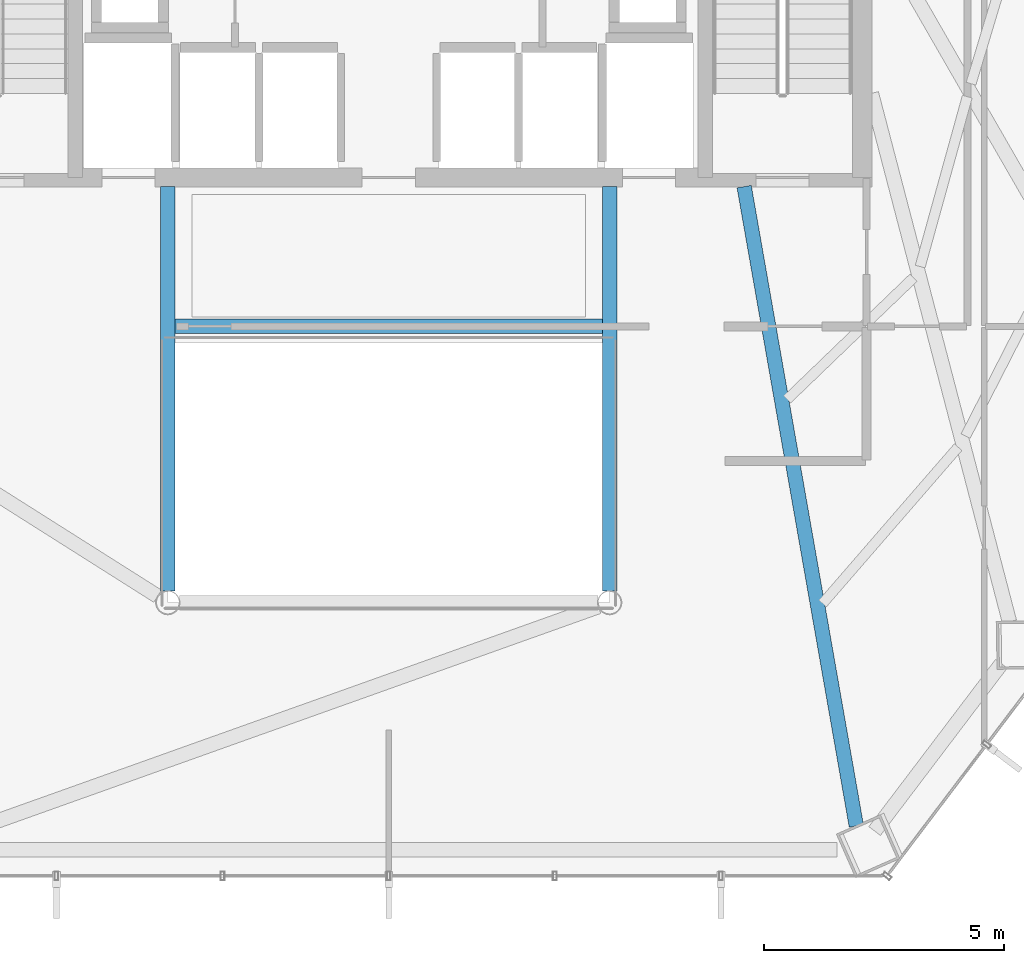
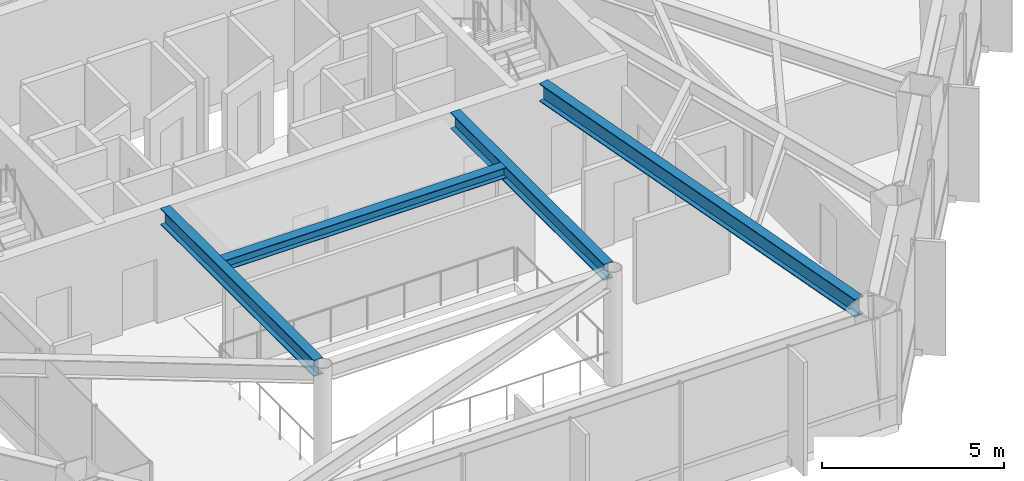
# One storey, part 9 of 24: 4 beams.
"""IFC4 building model written with IfcOpenShell, lengths in metres."""

from ifc_helpers import new_model, si_unit, direction, frame, origin, origin_2d, place, context, subcontext, project, spatial, i_section, extrude, material, material_profile, profile_set, type_object, element, save


model = new_model("IFC4")

# Units and contexts
model_context = context("Model", 3, precision=1e-05, world=origin(), true_north=direction((0.0, 1.0)))
body_context = subcontext(model_context, "Body", "Model", "MODEL_VIEW")
ifc_project = project(units=[si_unit("LENGTHUNIT", "METRE"), si_unit("AREAUNIT", "SQUARE_METRE"), si_unit("VOLUMEUNIT", "CUBIC_METRE"), si_unit("PLANEANGLEUNIT", "RADIAN"), si_unit("MASSUNIT", "GRAM", prefix="KILO")], contexts=[model_context])

# Site, building, storey
site_placement = place(None, origin())
site = spatial("IfcSite", under=ifc_project, at=site_placement, CompositionType="ELEMENT")
building_placement = place(site_placement, origin())
building = spatial("IfcBuilding", under=site, at=building_placement, Name="Zarrinselat Tower", CompositionType="ELEMENT")
storey_placement = place(building_placement, frame((0.0, 0.0, 68.340087890625)))
storey = spatial("IfcBuildingStorey", under=building, at=storey_placement, Name="L16", CompositionType="ELEMENT", Elevation=68.340087890625)

# Beams
ifc_material_1 = material(Name="Steel S355J2", Category="steel")
ifc_material_profile_1 = material_profile(ifc_material_1, i_section(OverallWidth=0.300048828125, OverallDepth=0.35009765625, WebThickness=0.010009765625, FlangeThickness=0.017578125, at=origin_2d()), Name="HEA 360")
ifc_profile_set_1 = profile_set([ifc_material_profile_1], Name="Steel S355J2")
beam_type_1 = type_object("IfcBeamType", Name="BM-HEA360", PredefinedType="LINTEL", material=ifc_profile_set_1)
beam_1_placement = place(storey_placement, frame((33.93994140625, 30.14990234375, 3.64501953125), z_axis=(1.0, 0.0, 0.0), x_axis=(0.0, 1.0, 0.0)))
element("IfcBeam", 1, at=beam_1_placement, inside=storey, type_object=beam_type_1, Name="L16 Lift Lobby Ceiling Beam", PredefinedType="LINTEL", context=body_context, shape_type="SweptSolid", body=[
    extrude(i_section(OverallWidth=0.300048828125, OverallDepth=0.35009765625, WebThickness=0.010009765625, FlangeThickness=0.017578125, at=origin_2d()), origin(), (0.0, 0.0, 1.0), 8.920166015625),
])
ifc_material_2 = material(Name="Steel S355J2", Category="steel")
ifc_material_profile_2 = material_profile(ifc_material_2, i_section(OverallWidth=0.300048828125, OverallDepth=0.550048828125, WebThickness=0.014892578125, FlangeThickness=0.029052734375, at=origin_2d()), Name="HEB 550")
ifc_profile_set_2 = profile_set([ifc_material_profile_2], Name="Steel S355J2")
beam_type_2 = type_object("IfcBeamType", Name="BM-HEB550", PredefinedType="BEAM", material=ifc_profile_set_2)
for number, where, z_axis, x_axis, name in (
    (2, (33.800048828125, 24.639892578125, 3.544921875), (0.0, 1.0, 0.0), (-1.0, 0.0, 0.0), "L16 Atrium Edge Beam W"),
    (3, (43.0, 24.639892578125, 3.544921875), (0.0, 1.0, 0.0), (-1.0, 0.0, 0.0), "L16 Atrium Edge Beam E"),
):
    element("IfcBeam", number, at=place(storey_placement, frame(where, z_axis=z_axis, x_axis=x_axis)), inside=storey, type_object=beam_type_2, Name=name, PredefinedType="BEAM", context=body_context, shape_type="SweptSolid", body=[
        extrude(i_section(OverallWidth=0.300048828125, OverallDepth=0.550048828125, WebThickness=0.014892578125, FlangeThickness=0.029052734375, at=origin_2d()), origin(), (0.0, 0.0, 1.0), 8.420166015625),
    ])
ifc_material_3 = material(Name="Steel S355J2", Category="steel")
ifc_material_profile_3 = material_profile(ifc_material_3, i_section(OverallWidth=0.300048828125, OverallDepth=0.60009765625, WebThickness=0.015380859375, FlangeThickness=0.030029296875, at=origin_2d()), Name="HEB 600")
ifc_profile_set_3 = profile_set([ifc_material_profile_3], Name="Steel S355J2")
beam_type_3 = type_object("IfcBeamType", Name="BM-HEB600", PredefinedType="BEAM", material=ifc_profile_set_3)
beam_2_placement = place(storey_placement, frame((45.800048828125, 33.06005859375, 3.52001953125), z_axis=(0.172815466764, -0.984954219468, 0.0), x_axis=(0.984954219468, 0.172815466764, 0.0)))
element("IfcBeam", 4, at=beam_2_placement, inside=storey, type_object=beam_type_3, Name="L16 Radial Primary Girder RG11", PredefinedType="BEAM", context=body_context, shape_type="SweptSolid", body=[
    extrude(i_section(OverallWidth=0.300048828125, OverallDepth=0.60009765625, WebThickness=0.015380859375, FlangeThickness=0.030029296875, at=origin_2d()), origin(), (0.0, 0.0, 1.0), 13.51416015625),
])

save(model, "model.ifc")
